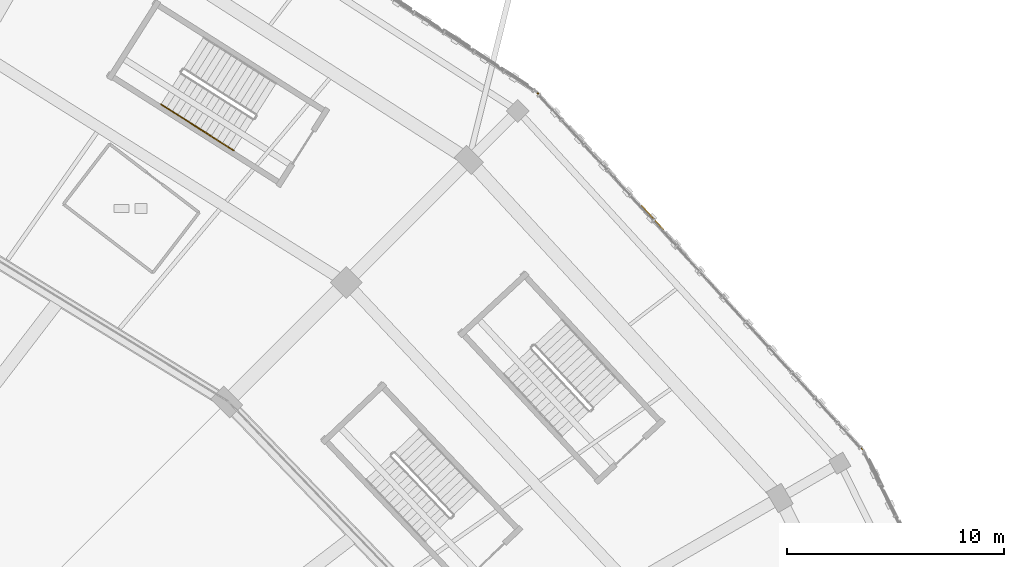
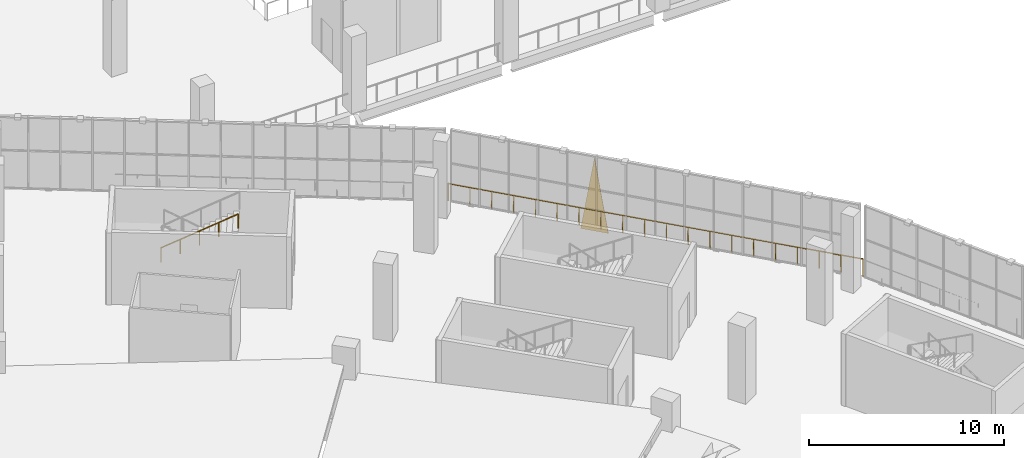
# One storey, part 175 of 183: 2 railings, 1 covering.
"""IFC4 building model written with IfcOpenShell, lengths in metres."""

from ifc_helpers import new_model, si_unit, direction, frame, origin, origin_2d, place, context, subcontext, project, spatial, polyline, circle, outline, extrude, material, layer, layer_set, type_object, element, save


model = new_model("IFC4")

# Units and contexts
model_context = context("Model", 3, precision=1e-05, world=origin(), true_north=direction((0.0, 1.0)))
body_context = subcontext(model_context, "Body", "Model", "MODEL_VIEW")
ifc_project = project(units=[si_unit("LENGTHUNIT", "METRE"), si_unit("AREAUNIT", "SQUARE_METRE"), si_unit("VOLUMEUNIT", "CUBIC_METRE"), si_unit("PLANEANGLEUNIT", "RADIAN"), si_unit("MASSUNIT", "GRAM", prefix="KILO")], contexts=[model_context])

# Site, building, storey
site_placement = place(None, origin())
site = spatial("IfcSite", under=ifc_project, at=site_placement, CompositionType="ELEMENT")
building_placement = place(site_placement, origin())
building = spatial("IfcBuilding", under=site, at=building_placement, Name="Zevraka Park Crest Stadium", CompositionType="ELEMENT")
storey_placement = place(building_placement, frame((0.0, 0.0, 5.39990234375)))
storey = spatial("IfcBuildingStorey", under=building, at=storey_placement, Name="L01", CompositionType="ELEMENT", Elevation=5.39990234375)

# Covering
ifc_material_1 = material(Name="Architectural golden-bronze perforated aluminium", Category="aluminium")
ifc_layer = layer(ifc_material_1, 0.034912109375)
ifc_layer_set = layer_set([ifc_layer], Name="Architectural golden-bronze perforated aluminium")
covering_type = type_object("IfcCoveringType", Name="CLD01", PredefinedType="CLADDING", material=ifc_layer_set)
covering_placement = place(storey_placement, frame((184.843994140625, 142.052978515625, -0.260009765625), z_axis=(0.739257935755, 0.673422381884, 0.0), x_axis=(-0.673422381884, 0.739257935755, 0.0)))
element("IfcCovering", 1, at=covering_placement, inside=storey, type_object=covering_type, Name="Triangular Golden-Bronze Perforated Cladding L01-02-9", PredefinedType="CLADDING", context=body_context, shape_type="SweptSolid", body=[
    extrude(outline(polyline([(0.0, 0.0), (1.4907527237079923, 0.0), (0.7453763618539961, 4.60009765625), (0.0, 0.0)])), origin(), (0.0, 0.0, -1.0), 0.034912109375),
])

# Railings
ifc_material_2 = material(Name="Galvanised and bronze-finished steel balustrade", Category="steel")
railing_type_1 = type_object("IfcRailingType", Name="GR01", PredefinedType="GUARDRAIL", material=ifc_material_2)
railing_1_placement = place(storey_placement, frame((178.988037109375, 148.373046875, 0.0)))
element("IfcRailing", 2, at=railing_1_placement, inside=storey, type_object=railing_type_1, Name="Deck Edge Protection Guardrail GR01 L01-19", PredefinedType="GUARDRAIL", context=body_context, shape_type="SweptSolid", body=[
    extrude(circle(Radius=0.02392578125, at=origin_2d()), frame((0.0, 0.0, 1.076171875), z_axis=(0.673682082685, -0.739021279442, 0.0), x_axis=(0.739021279442, 0.673682082685, 0.0)), (0.0, 0.0, 1.0), 22.34423828125),
    extrude(circle(Radius=0.02099609375, at=origin_2d()), origin(), (0.0, 0.0, 1.0), 1.052001953125),
    extrude(circle(Radius=0.02099609375, at=origin_2d()), frame((0.792236328125, -0.869140625, 0.0)), (0.0, 0.0, 1.0), 1.052001953125),
    extrude(circle(Radius=0.02099609375, at=origin_2d()), frame((1.58447265625, -1.73828125, 0.0)), (0.0, 0.0, 1.0), 1.052001953125),
    extrude(circle(Radius=0.02099609375, at=origin_2d()), frame((2.376708984375, -2.607421875, 0.0)), (0.0, 0.0, 1.0), 1.052001953125),
    extrude(circle(Radius=0.02099609375, at=origin_2d()), frame((3.1689453125, -3.476318359375, 0.0)), (0.0, 0.0, 1.0), 1.052001953125),
    extrude(circle(Radius=0.02099609375, at=origin_2d()), frame((3.96142578125, -4.345458984375, 0.0)), (0.0, 0.0, 1.0), 1.052001953125),
    extrude(circle(Radius=0.02099609375, at=origin_2d()), frame((4.753662109375, -5.214599609375, 0.0)), (0.0, 0.0, 1.0), 1.052001953125),
    extrude(circle(Radius=0.02099609375, at=origin_2d()), frame((5.5458984375, -6.083740234375, 0.0)), (0.0, 0.0, 1.0), 1.052001953125),
    extrude(circle(Radius=0.02099609375, at=origin_2d()), frame((6.338134765625, -6.952880859375, 0.0)), (0.0, 0.0, 1.0), 1.052001953125),
    extrude(circle(Radius=0.02099609375, at=origin_2d()), frame((7.13037109375, -7.822021484375, 0.0)), (0.0, 0.0, 1.0), 1.052001953125),
    extrude(circle(Radius=0.02099609375, at=origin_2d()), frame((7.922607421875, -8.69091796875, 0.0)), (0.0, 0.0, 1.0), 1.052001953125),
    extrude(circle(Radius=0.02099609375, at=origin_2d()), frame((8.71484375, -9.56005859375, 0.0)), (0.0, 0.0, 1.0), 1.052001953125),
    extrude(circle(Radius=0.02099609375, at=origin_2d()), frame((9.507080078125, -10.42919921875, 0.0)), (0.0, 0.0, 1.0), 1.052001953125),
    extrude(circle(Radius=0.02099609375, at=origin_2d()), frame((10.29931640625, -11.29833984375, 0.0)), (0.0, 0.0, 1.0), 1.052001953125),
    extrude(circle(Radius=0.02099609375, at=origin_2d()), frame((11.091552734375, -12.16748046875, 0.0)), (0.0, 0.0, 1.0), 1.052001953125),
    extrude(circle(Radius=0.02099609375, at=origin_2d()), frame((11.884033203125, -13.03662109375, 0.0)), (0.0, 0.0, 1.0), 1.052001953125),
    extrude(circle(Radius=0.02099609375, at=origin_2d()), frame((12.67626953125, -13.905517578125, 0.0)), (0.0, 0.0, 1.0), 1.052001953125),
    extrude(circle(Radius=0.02099609375, at=origin_2d()), frame((13.468505859375, -14.774658203125, 0.0)), (0.0, 0.0, 1.0), 1.052001953125),
    extrude(circle(Radius=0.02099609375, at=origin_2d()), frame((14.2607421875, -15.643798828125, 0.0)), (0.0, 0.0, 1.0), 1.052001953125),
    extrude(circle(Radius=0.02099609375, at=origin_2d()), frame((15.052978515625, -16.512939453125, 0.0)), (0.0, 0.0, 1.0), 1.052001953125),
])
ifc_material_3 = material(Name="Brushed stainless steel continuous handrail", Category="steel")
railing_type_2 = type_object("IfcRailingType", Name="HR01", PredefinedType="HANDRAIL", material=ifc_material_3)
railing_2_placement = place(storey_placement, frame((161.6494140625, 147.811767578125, 2.571533203125)))
element("IfcRailing", 3, at=railing_2_placement, inside=storey, type_object=railing_type_2, Name="L01 ST04 stair handrail 2", PredefinedType="HANDRAIL", context=body_context, shape_type="SweptSolid", body=[
    extrude(circle(Radius=0.02392578125, at=origin_2d()), frame((0.0, 0.0, 0.8759765625), z_axis=(0.736098358432, -0.467025799673, 0.489945006254), x_axis=(0.53573158449, 0.844388340386, 0.0)), (0.0, 0.0, 1.0), 4.548583984375),
    extrude(circle(Radius=0.02099609375, at=origin_2d()), origin(), (0.0, 0.0, 1.0), 0.851806640625),
    extrude(circle(Radius=0.02099609375, at=origin_2d()), frame((0.8369140625, -0.531005859375, 0.55712890625)), (0.0, 0.0, 1.0), 0.851806640625),
    extrude(circle(Radius=0.02099609375, at=origin_2d()), frame((1.674072265625, -1.06201171875, 1.1142578125)), (0.0, 0.0, 1.0), 0.851806640625),
    extrude(circle(Radius=0.02099609375, at=origin_2d()), frame((2.51123046875, -1.59326171875, 1.67138671875)), (0.0, 0.0, 1.0), 0.851806640625),
    extrude(circle(Radius=0.02099609375, at=origin_2d()), frame((3.34814453125, -2.124267578125, 2.228515625)), (0.0, 0.0, 1.0), 0.851806640625),
])

save(model, "model.ifc")
